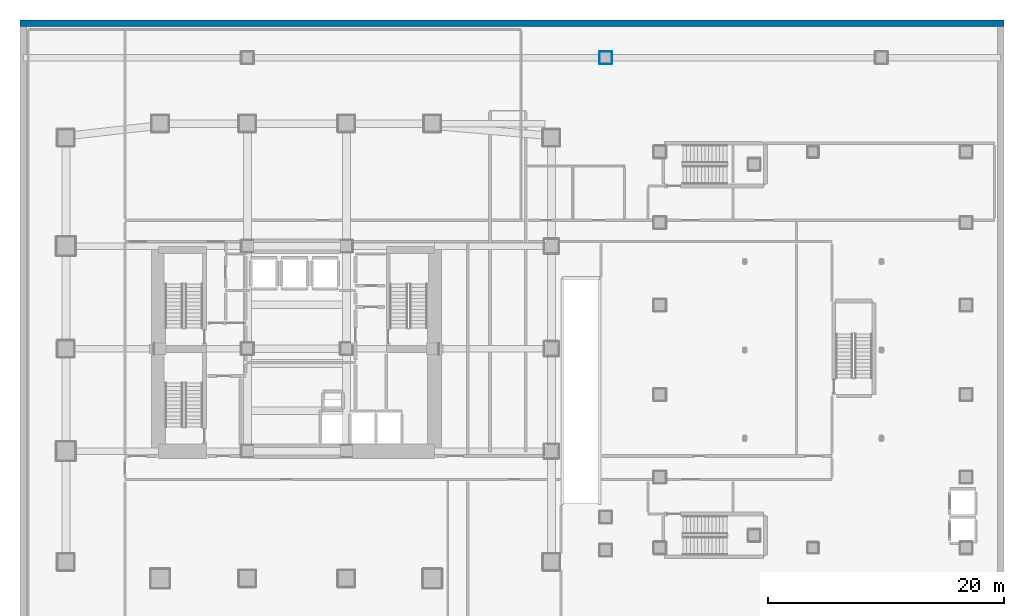
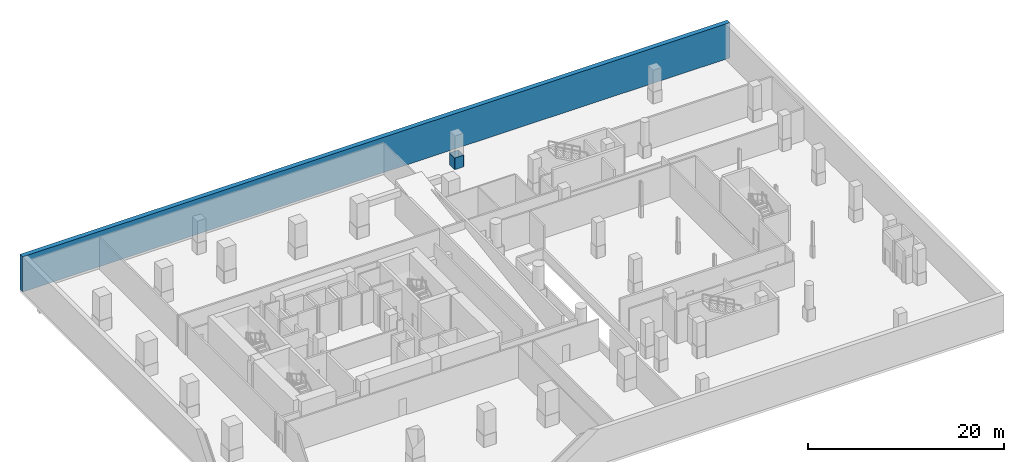
# One storey, part 14 of 22: 5 walls.
"""IFC4 building model written with IfcOpenShell, lengths in metres."""

from ifc_helpers import new_model, si_unit, direction, frame, frame_2d, origin, place, context, subcontext, project, spatial, rectangle, extrude, material, layer, layer_set, type_object, element, save


model = new_model("IFC4")

# Units and contexts
model_context = context("Model", 3, precision=1e-05, world=origin(), true_north=direction((0.0, 1.0)))
body_context = subcontext(model_context, "Body", "Model", "MODEL_VIEW")
ifc_project = project(units=[si_unit("LENGTHUNIT", "METRE"), si_unit("AREAUNIT", "SQUARE_METRE"), si_unit("VOLUMEUNIT", "CUBIC_METRE"), si_unit("PLANEANGLEUNIT", "RADIAN"), si_unit("MASSUNIT", "GRAM", prefix="KILO")], contexts=[model_context])

# Site, building, storey
site_placement = place(None, origin())
site = spatial("IfcSite", under=ifc_project, at=site_placement, CompositionType="ELEMENT")
building_placement = place(site_placement, origin())
building = spatial("IfcBuilding", under=site, at=building_placement, Name="Solanera Arch Residences", CompositionType="ELEMENT")
storey_placement = place(building_placement, frame((0.0, 0.0, -4.39990234375)))
storey = spatial("IfcBuildingStorey", under=building, at=storey_placement, Name="B01", CompositionType="ELEMENT", Elevation=-4.39990234375)

# Walls
ifc_material_1 = material(Name="Fire-Rated Gypsum Stud Partition", Category="gypsum")
ifc_layer_1 = layer(ifc_material_1, 0.06005859375)
ifc_layer_set_1 = layer_set([ifc_layer_1], Name="Fire-Rated Gypsum Stud Partition")
wall_type_1 = type_object("IfcWallType", Name="Column Acoustic Furring Wall 60", PredefinedType="PARTITIONING", material=ifc_layer_set_1)
for number, where, z_axis, x_axis, name in (
    (1, (50.699951171875, 54.867919921875, 0.0), (0.0, 0.0, 1.0), (1.0, 0.0, 0.0), "B01 Column Furring 39S"),
    (2, (50.699951171875, 55.931884765625, 0.0), (0.0, 0.0, 1.0), (1.0, 0.0, 0.0), "B01 Column Furring 39N"),
    (3, (50.66796875, 54.89990234375, 0.0), (0.0, 0.0, 1.0), (0.0, 1.0, 0.0), "B01 Column Furring 39W"),
    (4, (51.73193359375, 54.89990234375, 0.0), (0.0, 0.0, 1.0), (0.0, 1.0, 0.0), "B01 Column Furring 39E"),
):
    element("IfcWall", number, at=place(storey_placement, frame(where, z_axis=z_axis, x_axis=x_axis)), inside=storey, type_object=wall_type_1, Name=name, PredefinedType="PARTITIONING", context=body_context, shape_type="SweptSolid", body=[
        extrude(rectangle(XDim=1.0, YDim=0.06005859375, at=frame_2d((0.5, 0.0))), origin(), (0.0, 0.0, 1.0), 1.449951171875),
    ])
ifc_material_2 = material(Name="Concrete C40/50 (f'c = 45 MPa)", Category="concrete")
ifc_layer_2 = layer(ifc_material_2, 0.550048828125)
ifc_layer_set_2 = layer_set([ifc_layer_2], Name="Concrete C40/50 (f'c = 45 MPa)")
wall_type_2 = type_object("IfcWallType", Name="Solid Exterior Wall Substructure 550", PredefinedType="SOLIDWALL", material=ifc_layer_set_2)
wall_placement = place(storey_placement, frame((85.0, 58.324951171875, 0.0), z_axis=(0.0, 0.0, 1.0), x_axis=(-1.0, 0.0, 0.0)))
element("IfcWall", 5, at=wall_placement, inside=storey, type_object=wall_type_2, Name="B01 North Basement Retaining Wall", PredefinedType="SOLIDWALL", context=body_context, shape_type="SweptSolid", body=[
    extrude(rectangle(XDim=83.5, YDim=0.550048828125, at=frame_2d((41.75, 0.0))), origin(), (0.0, 0.0, 1.0), 4.39990234375),
])

save(model, "model.ifc")
